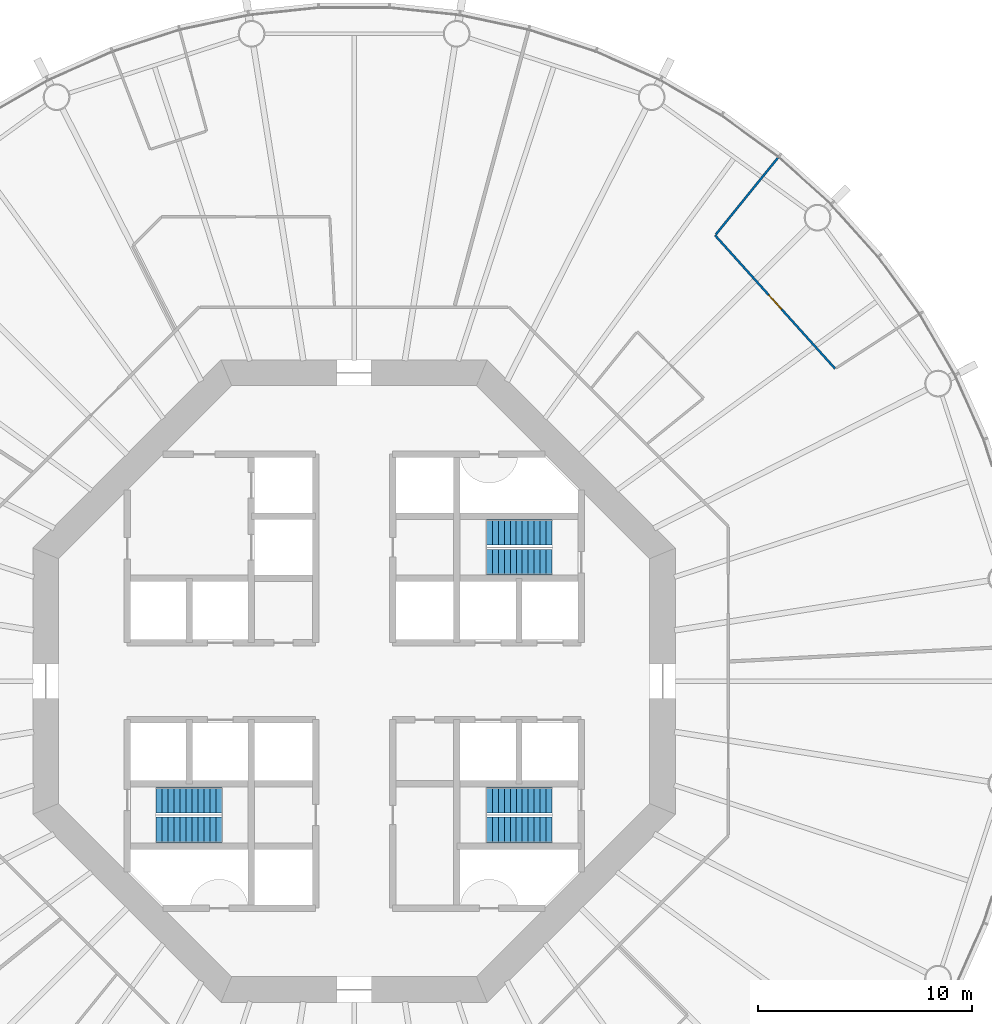
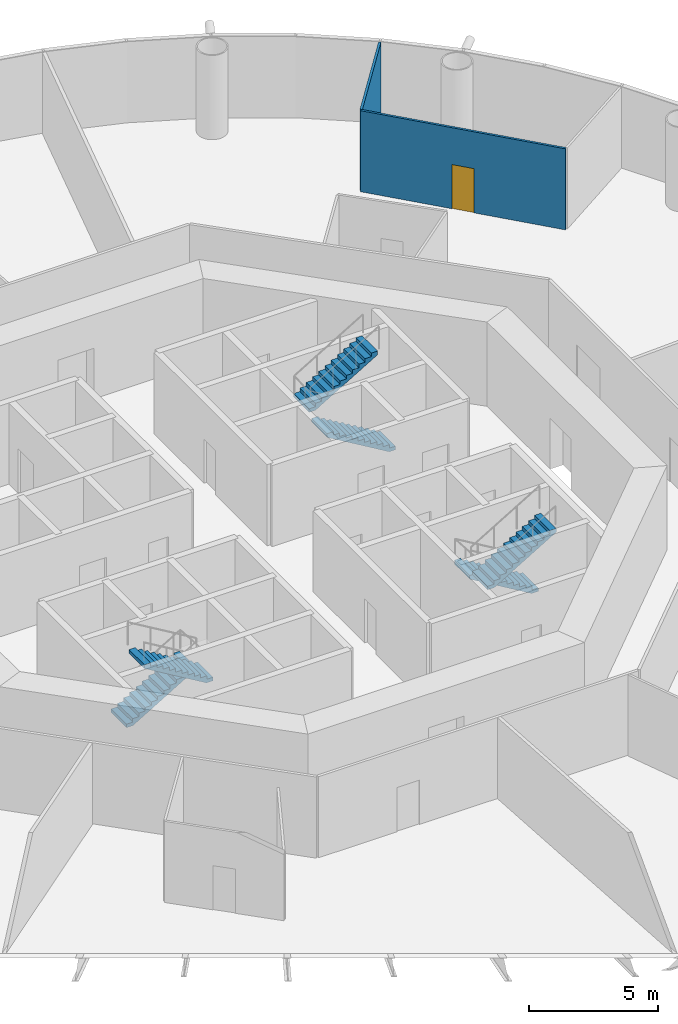
# One storey, part 6 of 13: 6 stair flights, 2 walls, 1 door, 1 opening, 3 elements without a shape of their own.
"""IFC4 building model written with IfcOpenShell, lengths in metres."""

import ifcopenshell
import ifcopenshell.guid

model = None  # the IFC model being written
_history = None  # IfcOwnerHistory: only IFC2X3 demands one
_inside = {}  # id of a spatial element -> (the spatial element, [elements in it])
_under = {}  # id of a project, library or spatial element -> (it, [spatial elements below it])
_declared = {}  # id of a project -> (the project, [libraries it declares])
_typed = {}  # id of a type object -> (the type object, [elements of that type])
_made_of = {}  # id of a material, layer set ... -> (it, [elements and type objects made of it])


def new_model(schema):
    """Start an empty IFC model of exactly this schema.

    Asked for "IFC4X3", IfcOpenShell would pick the latest addendum, in which some entities
    have other attributes; the version numbers below select the first issue.
    IFC2X3 requires an IfcOwnerHistory on every rooted entity: one is made here for all.
    """
    global model, _history
    if schema == "IFC4X3":
        model = ifcopenshell.file(schema_version=(4, 3, 0, 0))
    else:
        model = ifcopenshell.file(schema=schema)
    _inside.clear()
    _under.clear()
    _declared.clear()
    _typed.clear()
    _made_of.clear()
    _history = None
    if model.schema == "IFC2X3":
        org = make("IfcOrganization", Name="unknown")
        user = make(
            "IfcPersonAndOrganization",
            ThePerson=make("IfcPerson", FamilyName="unknown"),
            TheOrganization=org,
        )
        app = make(
            "IfcApplication",
            ApplicationDeveloper=org,
            Version="unknown",
            ApplicationFullName="unknown",
            ApplicationIdentifier="unknown",
        )
        _history = make(
            "IfcOwnerHistory",
            OwningUser=user,
            OwningApplication=app,
            ChangeAction="ADDED",
            CreationDate=0,
        )
    return model


def make(cls, **values):
    """One entity of the class cls with the attributes given. An attribute that is None is left unset."""
    return model.create_entity(
        cls, **{name: value for name, value in values.items() if value is not None}
    )


def rooted(cls, **values):
    """An entity with a GlobalId (a new one), such as an element, a storey or a relation."""
    return make(cls, GlobalId=ifcopenshell.guid.new(), OwnerHistory=_history, **values)


def si_unit(unit_type, name, prefix=None):
    """IfcSIUnit, for example si_unit("LENGTHUNIT", "METRE", prefix="MILLI")."""
    return make("IfcSIUnit", UnitType=unit_type, Prefix=prefix, Name=name)


def assignment(units):
    """IfcUnitAssignment: the units of a project."""
    return None if units is None else make("IfcUnitAssignment", Units=units)


def point(xyz):
    """IfcCartesianPoint."""
    return None if xyz is None else make("IfcCartesianPoint", Coordinates=xyz)


def direction(xyz):
    """IfcDirection."""
    return None if xyz is None else make("IfcDirection", DirectionRatios=xyz)


def frame(location, z_axis=None, x_axis=None):
    """IfcAxis2Placement3D, a coordinate frame: its origin and axes. An axis left out is left unset."""
    return make(
        "IfcAxis2Placement3D",
        Location=point(location),
        Axis=direction(z_axis),
        RefDirection=direction(x_axis),
    )


def frame_2d(location, x_axis=None):
    """IfcAxis2Placement2D, a coordinate frame in the plane: its origin and x axis."""
    return make(
        "IfcAxis2Placement2D", Location=point(location), RefDirection=direction(x_axis)
    )


def origin():
    """The frame at (0, 0, 0) with its axes left unset."""
    return frame((0.0, 0.0, 0.0))


def place(relative_to, where):
    """IfcLocalPlacement: puts the frame where relative to a parent placement (None: the world)."""
    return make(
        "IfcLocalPlacement", PlacementRelTo=relative_to, RelativePlacement=where
    )


def context(
    kind, dimensions, precision=None, world=None, true_north=None, identifier=None
):
    """IfcGeometricRepresentationContext, for example the 3D "Model" context."""
    return make(
        "IfcGeometricRepresentationContext",
        ContextIdentifier=identifier,
        ContextType=kind,
        CoordinateSpaceDimension=dimensions,
        Precision=precision,
        WorldCoordinateSystem=world,
        TrueNorth=true_north,
    )


def subcontext(parent, identifier, kind, view, scale=None):
    """IfcGeometricRepresentationSubContext, for example "Body" below "Model"."""
    return make(
        "IfcGeometricRepresentationSubContext",
        ContextIdentifier=identifier,
        ContextType=kind,
        ParentContext=parent,
        TargetScale=scale,
        TargetView=view,
    )


def project(units=None, contexts=None):
    """IfcProject with its units and contexts."""
    return rooted(
        "IfcProject",
        Name="project",
        RepresentationContexts=contexts,
        UnitsInContext=assignment(units),
    )


def spatial(cls, under=None, at=None, **own):
    """A site, building, storey or space (cls), placed at a placement, below another one or the project."""
    s = rooted(cls, ObjectPlacement=at, **own)
    if under is not None:
        _under.setdefault(under.id(), (under, []))[1].append(s)
    return s


def polyline(points):
    """IfcPolyline through the points."""
    return make("IfcPolyline", Points=[point(p) for p in points])


def profile(cls, at=None, kind="AREA", **sizes):
    """A parametric profile (cls). Its sizes go by their IFC names, for example OverallWidth=200.0."""
    return make(cls, ProfileType=kind, Position=at, **sizes)


def rectangle(**sizes):
    """IfcRectangleProfileDef."""
    return profile("IfcRectangleProfileDef", **sizes)


def outline(outer, holes=None, kind="AREA"):
    """IfcArbitraryClosedProfileDef: a profile drawn as a closed curve; with holes, ...WithVoids."""
    if holes is None:
        return make("IfcArbitraryClosedProfileDef", ProfileType=kind, OuterCurve=outer)
    return make(
        "IfcArbitraryProfileDefWithVoids",
        ProfileType=kind,
        OuterCurve=outer,
        InnerCurves=holes,
    )


def extrude(swept, where, along, depth):
    """IfcExtrudedAreaSolid: the profile swept, set in the frame where, extruded along a direction by depth."""
    return make(
        "IfcExtrudedAreaSolid",
        SweptArea=swept,
        Position=where,
        ExtrudedDirection=direction(along),
        Depth=depth,
    )


def shape(context_of_items, identifier, shape_type, items):
    """IfcShapeRepresentation: the items that make up one representation, for example the "Body"."""
    return make(
        "IfcShapeRepresentation",
        ContextOfItems=context_of_items,
        RepresentationIdentifier=identifier,
        RepresentationType=shape_type,
        Items=items,
    )


def material(Name=None, Category=None):
    """IfcMaterial."""
    return make("IfcMaterial", Name=Name, Category=Category)


def layer(
    of_material, thickness, ventilated=None, Name=None, Category=None, Priority=None
):
    """IfcMaterialLayer: one layer of a wall or slab, of a material (None: an air gap)."""
    return make(
        "IfcMaterialLayer",
        Material=of_material,
        LayerThickness=thickness,
        IsVentilated=ventilated,
        Name=Name,
        Category=Category,
        Priority=Priority,
    )


def layer_set(layers, Name=None):
    """IfcMaterialLayerSet."""
    return make("IfcMaterialLayerSet", MaterialLayers=layers, LayerSetName=Name)


def made_of(thing, what):
    """Note that an element or type object is made of a material, layer set ...; save() writes the relation."""
    if what is not None:
        _made_of.setdefault(what.id(), (what, []))[1].append(thing)
    return thing


def type_object(cls, material=None, **own):
    """A type object (cls), such as IfcWallType, which elements share."""
    return made_of(rooted(cls, **own), material)


def element(
    cls,
    number,
    at=None,
    inside=None,
    cuts=None,
    type_object=None,
    material=None,
    context=None,
    identifier="Body",
    shape_type=None,
    held_by="IfcProductDefinitionShape",
    body=None,
    shapes=None,
    **own,
):
    """One element of the class cls, such as IfcWall. Its Tag is "e" and its number.

    at: its placement. inside: the storey or other place that contains it. cuts: it is an
    opening in that element (IfcRelVoidsElement). A single representation is given by context,
    identifier, shape_type and body (its items); several are given by shapes. held_by: the class
    of the entity that holds the representations. save() writes the other relations.
    """
    e = rooted(cls, Tag="e%d" % number, ObjectPlacement=at, **own)
    if body is not None:
        shapes = [shape(context, identifier, shape_type, body)]
    if shapes is not None:
        e.Representation = make(held_by, Representations=shapes)
    if inside is not None:
        _inside.setdefault(inside.id(), (inside, []))[1].append(e)
    if cuts is not None:
        rooted(
            "IfcRelVoidsElement", RelatingBuildingElement=cuts, RelatedOpeningElement=e
        )
    if type_object is not None:
        _typed.setdefault(type_object.id(), (type_object, []))[1].append(e)
    return made_of(e, material)


def fill(opening, filler):
    """IfcRelFillsElement: the door or window that sits in an opening."""
    return rooted(
        "IfcRelFillsElement",
        RelatingOpeningElement=opening,
        RelatedBuildingElement=filler,
    )


def aggregate(whole, parts):
    """IfcRelAggregates: a whole, such as a stair, and the parts it consists of."""
    return rooted("IfcRelAggregates", RelatingObject=whole, RelatedObjects=parts)


def save(model, path):
    """Write the relations noted so far, then the file.

    IfcRelAggregates (storeys below a building ...), IfcRelContainedInSpatialStructure (elements
    in a storey), IfcRelDefinesByType, IfcRelAssociatesMaterial and IfcRelDeclares: one each for
    every whole, place, type object, material and project.
    """
    for whole, parts in _under.values():
        aggregate(whole, parts)
    for where, things in _inside.values():
        rooted(
            "IfcRelContainedInSpatialStructure",
            RelatedElements=things,
            RelatingStructure=where,
        )
    for kind, things in _typed.values():
        rooted("IfcRelDefinesByType", RelatedObjects=things, RelatingType=kind)
    for what, things in _made_of.values():
        rooted("IfcRelAssociatesMaterial", RelatedObjects=things, RelatingMaterial=what)
    for by, libraries in _declared.values():
        rooted("IfcRelDeclares", RelatingContext=by, RelatedDefinitions=libraries)
    model.write(path)


model = new_model("IFC4")

# Units and contexts
model_context = context("Model", 3, precision=1e-05, world=origin(), true_north=direction((0.0, 1.0)))
body_context = subcontext(model_context, "Body", "Model", "MODEL_VIEW")
ifc_project = project(units=[si_unit("LENGTHUNIT", "METRE"), si_unit("AREAUNIT", "SQUARE_METRE"), si_unit("VOLUMEUNIT", "CUBIC_METRE"), si_unit("PLANEANGLEUNIT", "RADIAN"), si_unit("MASSUNIT", "GRAM", prefix="KILO")], contexts=[model_context])

# Site, building, storey
site_placement = place(None, origin())
site = spatial("IfcSite", under=ifc_project, at=site_placement, CompositionType="ELEMENT")
building_placement = place(site_placement, origin())
building = spatial("IfcBuilding", under=site, at=building_placement, Name="Entoto Ring Tower", CompositionType="ELEMENT")
storey_placement = place(building_placement, frame((0.0, 0.0, 92.0)))
storey = spatial("IfcBuildingStorey", under=building, at=storey_placement, Name="L20", CompositionType="ELEMENT", Elevation=92.0)

# Wall, opening, door
ifc_material_1 = material(Name="Plasterboard on steel studs", Category="steel")
ifc_layer = layer(ifc_material_1, 0.10009765625)
ifc_layer_set = layer_set([ifc_layer], Name="Plasterboard on steel studs")
wall_type = type_object("IfcWallType", Name="Partition 100 mm plasterboard on steel studs", PredefinedType="PARTITIONING", material=ifc_layer_set)
wall_1_placement = place(storey_placement, frame((112.459716796875, 94.58544921875, 0.0), z_axis=(0.0, 0.0, 1.0), x_axis=(-0.669132139193, 0.743143445305, 0.0)))
wall_1 = element("IfcWall", 1, at=wall_1_placement, inside=storey, type_object=wall_type, Name="partition-L20-015", PredefinedType="PARTITIONING", context=body_context, shape_type="SweptSolid", body=[
    extrude(rectangle(XDim=8.378662109375, YDim=0.10009765625, at=frame_2d((4.189453125, 0.0))), origin(), (0.0, 0.0, 1.0), 3.85009765625),
])
opening_placement = place(wall_1_placement, frame((3.7392578125, 0.0, 0.0)))
opening = element("IfcOpeningElement", 2, at=opening_placement, cuts=wall_1, Name="Opening A09-D06", PredefinedType="OPENING", context=body_context, shape_type="SweptSolid", body=[
    extrude(rectangle(XDim=0.89990234375, YDim=2.10009765625, at=frame_2d((0.449951171875, 1.050048828125))), frame((0.0, 0.06005859375, 0.0), z_axis=(0.0, -1.0, 0.0), x_axis=(1.0, 0.0, 0.0)), (0.0, 0.0, 1.0), 0.1201171875),
])
ifc_material_2 = material(Name="Veneered timber door leaf in timber frame", Category="wood")
door_type = type_object("IfcDoorType", Name="Door 900 x 2100 single leaf timber veneer", OperationType="NOTDEFINED", PredefinedType="DOOR", material=ifc_material_2)
door_placement = place(opening_placement, frame((0.89990234375, 0.0, 0.0), z_axis=(0.0, 0.0, 1.0), x_axis=(-1.0, 0.0, 0.0)))
door = element("IfcDoor", 3, at=door_placement, inside=storey, type_object=door_type, Name="Door A09-D06", OperationType="SINGLE_SWING_RIGHT", OverallHeight=2.10009765625, OverallWidth=0.89990234375, PredefinedType="DOOR", context=body_context, shape_type="SweptSolid", body=[
    extrude(rectangle(XDim=0.89990234375, YDim=2.10009765625, at=frame_2d((0.449951171875, 1.050048828125))), frame((0.0, 0.02490234375, 0.0), z_axis=(0.0, -1.0, 0.0), x_axis=(1.0, 0.0, 0.0)), (0.0, 0.0, 1.0), 0.050048828125),
])
fill(opening, door)

# Wall
wall_2_placement = place(storey_placement, frame((106.88427734375, 100.850341796875, 0.0), z_axis=(0.0, 0.0, 1.0), x_axis=(0.629313986942, 0.777151147358, 0.0)))
element("IfcWall", 4, at=wall_2_placement, inside=storey, type_object=wall_type, Name="partition-L20-031", PredefinedType="PARTITIONING", context=body_context, shape_type="SweptSolid", body=[
    extrude(rectangle(XDim=4.61083984375, YDim=0.10009765625, at=frame_2d((2.305419921875, 0.0))), origin(), (0.0, 0.0, 1.0), 3.85009765625),
])

# Stair, stair flights
ifc_material_3 = material(Name="Concrete C40/50", Category="concrete")
stair_type = type_object("IfcStairType", Name="Exit stair 1200 mm dog-leg reinforced concrete", PredefinedType="HALF_TURN_STAIR", material=ifc_material_3)
stair_1_placement = place(storey_placement, origin())
stair_1 = element("IfcStair", 5, at=stair_1_placement, inside=storey, type_object=stair_type, Name="Exit stair 1", PredefinedType="HALF_TURN_STAIR")
ifc_material_4 = material(Name="Concrete C40/50", Category="concrete")
stair_flight_type = type_object("IfcStairFlightType", Name="Stair flight 1200 mm reinforced concrete", PredefinedType="STRAIGHT", material=ifc_material_4)
stair_flight_1_placement = place(storey_placement, frame((99.25, 85.550048828125, 0.0), z_axis=(0.0, 0.0, 1.0), x_axis=(-1.0, 0.0, 0.0)))
stair_flight_1 = element("IfcStairFlight", 6, at=stair_flight_1_placement, type_object=stair_flight_type, Name="ST1 flight 1", NumberOfRisers=12, NumberOfTreads=11, PredefinedType="STRAIGHT", RiserHeight=0.166666667, TreadLength=0.28, context=body_context, shape_type="SweptSolid", body=[
    extrude(outline(polyline([(0.0, 0.0), (0.0, 0.166748046875), (0.280029296875, 0.166748046875), (0.280029296875, 0.333251953125), (0.56005859375, 0.333251953125), (0.56005859375, 0.5), (0.840087890625, 0.5), (0.840087890625, 0.666748046875), (1.1201171875, 0.666748046875), (1.1201171875, 0.833251953125), (1.39990234375, 0.833251953125), (1.39990234375, 1.0), (1.679931640625, 1.0), (1.679931640625, 1.166748046875), (1.9599609375, 1.166748046875), (1.9599609375, 1.333251953125), (2.239990234375, 1.333251953125), (2.239990234375, 1.5), (2.52001953125, 1.5), (2.52001953125, 1.666748046875), (2.800048828125, 1.666748046875), (2.800048828125, 1.833251953125), (3.080078125, 1.833251953125), (3.080078125, 2.0), (3.080078125, 1.658935546875), (0.29296875, 0.0), (0.0, 0.0)])), frame((0.0, 0.60009765625, 0.0), z_axis=(0.0, -1.0, 0.0), x_axis=(1.0, 0.0, 0.0)), (0.0, 0.0, 1.0), 1.199951171875),
])
stair_flight_2_placement = place(storey_placement, frame((96.169921875, 86.949951171875, 2.0), z_axis=(0.0, 0.0, 1.0), x_axis=(1.0, 0.0, 0.0)))
stair_flight_2 = element("IfcStairFlight", 7, at=stair_flight_2_placement, type_object=stair_flight_type, Name="ST1 flight 2", NumberOfRisers=12, NumberOfTreads=11, PredefinedType="STRAIGHT", RiserHeight=0.166666667, TreadLength=0.28, context=body_context, shape_type="SweptSolid", body=[
    extrude(outline(polyline([(0.0, 0.0), (0.0, 0.166748046875), (0.280029296875, 0.166748046875), (0.280029296875, 0.333251953125), (0.56005859375, 0.333251953125), (0.56005859375, 0.5), (0.840087890625, 0.5), (0.840087890625, 0.666748046875), (1.1201171875, 0.666748046875), (1.1201171875, 0.833251953125), (1.39990234375, 0.833251953125), (1.39990234375, 1.0), (1.679931640625, 1.0), (1.679931640625, 1.166748046875), (1.9599609375, 1.166748046875), (1.9599609375, 1.333251953125), (2.239990234375, 1.333251953125), (2.239990234375, 1.5), (2.52001953125, 1.5), (2.52001953125, 1.666748046875), (2.800048828125, 1.666748046875), (2.800048828125, 1.833251953125), (3.080078125, 1.833251953125), (3.080078125, 2.0), (3.080078125, 1.658935546875), (0.29296875, 0.0), (0.0, 0.0)])), frame((0.0, 0.60009765625, 0.0), z_axis=(0.0, -1.0, 0.0), x_axis=(1.0, 0.0, 0.0)), (0.0, 0.0, 1.0), 1.199951171875),
])
aggregate(stair_1, [stair_flight_1, stair_flight_2])

stair_2_placement = place(storey_placement, origin())
stair_2 = element("IfcStair", 8, at=stair_2_placement, inside=storey, type_object=stair_type, Name="Exit stair 2", PredefinedType="HALF_TURN_STAIR")
stair_flight_3_placement = place(storey_placement, frame((80.75, 74.449951171875, 0.0), z_axis=(0.0, 0.0, 1.0), x_axis=(1.0, 0.0, 0.0)))
stair_flight_3 = element("IfcStairFlight", 9, at=stair_flight_3_placement, type_object=stair_flight_type, Name="ST2 flight 1", NumberOfRisers=12, NumberOfTreads=11, PredefinedType="STRAIGHT", RiserHeight=0.166666667, TreadLength=0.28, context=body_context, shape_type="SweptSolid", body=[
    extrude(outline(polyline([(0.0, 0.0), (0.0, 0.166748046875), (0.280029296875, 0.166748046875), (0.280029296875, 0.333251953125), (0.56005859375, 0.333251953125), (0.56005859375, 0.5), (0.840087890625, 0.5), (0.840087890625, 0.666748046875), (1.1201171875, 0.666748046875), (1.1201171875, 0.833251953125), (1.39990234375, 0.833251953125), (1.39990234375, 1.0), (1.679931640625, 1.0), (1.679931640625, 1.166748046875), (1.9599609375, 1.166748046875), (1.9599609375, 1.333251953125), (2.239990234375, 1.333251953125), (2.239990234375, 1.5), (2.52001953125, 1.5), (2.52001953125, 1.666748046875), (2.800048828125, 1.666748046875), (2.800048828125, 1.833251953125), (3.080078125, 1.833251953125), (3.080078125, 2.0), (3.080078125, 1.658935546875), (0.29296875, 0.0), (0.0, 0.0)])), frame((0.0, 0.60009765625, 0.0), z_axis=(0.0, -1.0, 0.0), x_axis=(1.0, 0.0, 0.0)), (0.0, 0.0, 1.0), 1.199951171875),
])
stair_flight_4_placement = place(storey_placement, frame((83.830078125, 73.050048828125, 2.0), z_axis=(0.0, 0.0, 1.0), x_axis=(-1.0, 0.0, 0.0)))
stair_flight_4 = element("IfcStairFlight", 10, at=stair_flight_4_placement, type_object=stair_flight_type, Name="ST2 flight 2", NumberOfRisers=12, NumberOfTreads=11, PredefinedType="STRAIGHT", RiserHeight=0.166666667, TreadLength=0.28, context=body_context, shape_type="SweptSolid", body=[
    extrude(outline(polyline([(0.0, 0.0), (0.0, 0.166748046875), (0.280029296875, 0.166748046875), (0.280029296875, 0.333251953125), (0.56005859375, 0.333251953125), (0.56005859375, 0.5), (0.840087890625, 0.5), (0.840087890625, 0.666748046875), (1.1201171875, 0.666748046875), (1.1201171875, 0.833251953125), (1.39990234375, 0.833251953125), (1.39990234375, 1.0), (1.679931640625, 1.0), (1.679931640625, 1.166748046875), (1.9599609375, 1.166748046875), (1.9599609375, 1.333251953125), (2.239990234375, 1.333251953125), (2.239990234375, 1.5), (2.52001953125, 1.5), (2.52001953125, 1.666748046875), (2.800048828125, 1.666748046875), (2.800048828125, 1.833251953125), (3.080078125, 1.833251953125), (3.080078125, 2.0), (3.080078125, 1.658935546875), (0.29296875, 0.0), (0.0, 0.0)])), frame((0.0, 0.60009765625, 0.0), z_axis=(0.0, -1.0, 0.0), x_axis=(1.0, 0.0, 0.0)), (0.0, 0.0, 1.0), 1.199951171875),
])
aggregate(stair_2, [stair_flight_3, stair_flight_4])

stair_3_placement = place(storey_placement, origin())
stair_3 = element("IfcStair", 11, at=stair_3_placement, inside=storey, type_object=stair_type, Name="Exit stair 3", PredefinedType="HALF_TURN_STAIR")
stair_flight_5_placement = place(storey_placement, frame((99.25, 74.449951171875, 0.0), z_axis=(0.0, 0.0, 1.0), x_axis=(-1.0, 0.0, 0.0)))
stair_flight_5 = element("IfcStairFlight", 12, at=stair_flight_5_placement, type_object=stair_flight_type, Name="ST3 flight 1", NumberOfRisers=12, NumberOfTreads=11, PredefinedType="STRAIGHT", RiserHeight=0.166666667, TreadLength=0.28, context=body_context, shape_type="SweptSolid", body=[
    extrude(outline(polyline([(0.0, 0.0), (0.0, 0.166748046875), (0.280029296875, 0.166748046875), (0.280029296875, 0.333251953125), (0.56005859375, 0.333251953125), (0.56005859375, 0.5), (0.840087890625, 0.5), (0.840087890625, 0.666748046875), (1.1201171875, 0.666748046875), (1.1201171875, 0.833251953125), (1.39990234375, 0.833251953125), (1.39990234375, 1.0), (1.679931640625, 1.0), (1.679931640625, 1.166748046875), (1.9599609375, 1.166748046875), (1.9599609375, 1.333251953125), (2.239990234375, 1.333251953125), (2.239990234375, 1.5), (2.52001953125, 1.5), (2.52001953125, 1.666748046875), (2.800048828125, 1.666748046875), (2.800048828125, 1.833251953125), (3.080078125, 1.833251953125), (3.080078125, 2.0), (3.080078125, 1.658935546875), (0.29296875, 0.0), (0.0, 0.0)])), frame((0.0, 0.60009765625, 0.0), z_axis=(0.0, -1.0, 0.0), x_axis=(1.0, 0.0, 0.0)), (0.0, 0.0, 1.0), 1.199951171875),
])
stair_flight_6_placement = place(storey_placement, frame((96.169921875, 73.050048828125, 2.0), z_axis=(0.0, 0.0, 1.0), x_axis=(1.0, 0.0, 0.0)))
stair_flight_6 = element("IfcStairFlight", 13, at=stair_flight_6_placement, type_object=stair_flight_type, Name="ST3 flight 2", NumberOfRisers=12, NumberOfTreads=11, PredefinedType="STRAIGHT", RiserHeight=0.166666667, TreadLength=0.28, context=body_context, shape_type="SweptSolid", body=[
    extrude(outline(polyline([(0.0, 0.0), (0.0, 0.166748046875), (0.280029296875, 0.166748046875), (0.280029296875, 0.333251953125), (0.56005859375, 0.333251953125), (0.56005859375, 0.5), (0.840087890625, 0.5), (0.840087890625, 0.666748046875), (1.1201171875, 0.666748046875), (1.1201171875, 0.833251953125), (1.39990234375, 0.833251953125), (1.39990234375, 1.0), (1.679931640625, 1.0), (1.679931640625, 1.166748046875), (1.9599609375, 1.166748046875), (1.9599609375, 1.333251953125), (2.239990234375, 1.333251953125), (2.239990234375, 1.5), (2.52001953125, 1.5), (2.52001953125, 1.666748046875), (2.800048828125, 1.666748046875), (2.800048828125, 1.833251953125), (3.080078125, 1.833251953125), (3.080078125, 2.0), (3.080078125, 1.658935546875), (0.29296875, 0.0), (0.0, 0.0)])), frame((0.0, 0.60009765625, 0.0), z_axis=(0.0, -1.0, 0.0), x_axis=(1.0, 0.0, 0.0)), (0.0, 0.0, 1.0), 1.199951171875),
])
aggregate(stair_3, [stair_flight_5, stair_flight_6])

save(model, "model.ifc")
